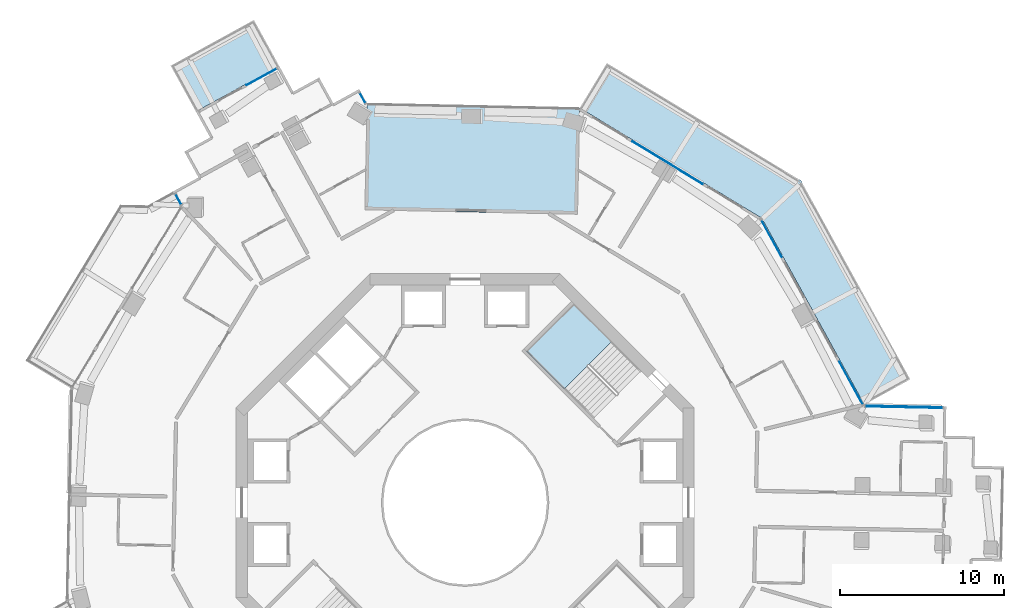
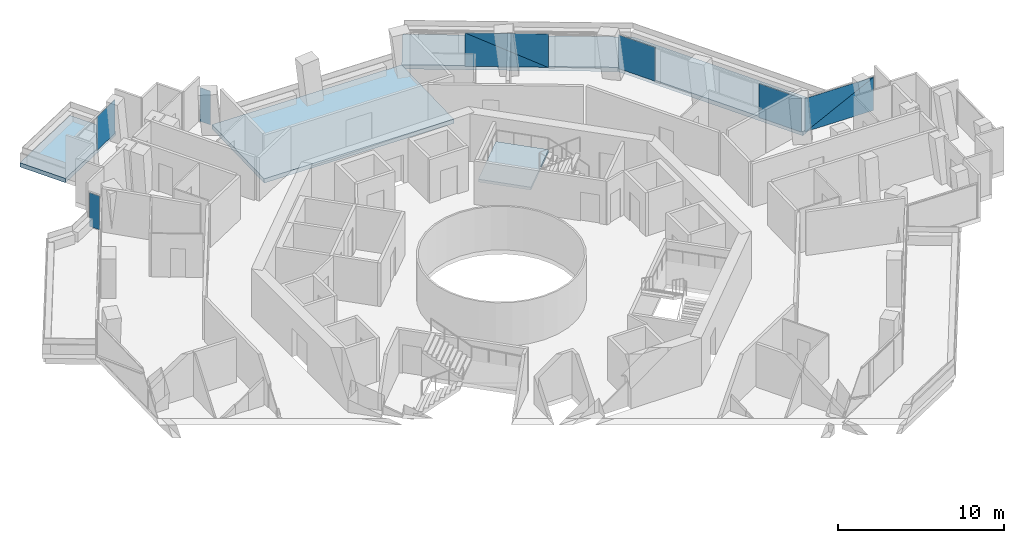
# One storey, part 13 of 22: 9 plates, 4 slabs, 7 elements without a shape of their own.
"""IFC4 building model written with IfcOpenShell, lengths in metres."""

from ifc_helpers import new_model, si_unit, direction, frame, origin, origin_2d, place, context, subcontext, project, spatial, polyline, rectangle, outline, extrude, material, layer, layer_set, type_object, element, aggregate, save


model = new_model("IFC4")

# Units and contexts
model_context = context("Model", 3, precision=1e-05, world=origin(), true_north=direction((0.0, 1.0)))
body_context = subcontext(model_context, "Body", "Model", "MODEL_VIEW")
ifc_project = project(units=[si_unit("LENGTHUNIT", "METRE"), si_unit("AREAUNIT", "SQUARE_METRE"), si_unit("VOLUMEUNIT", "CUBIC_METRE"), si_unit("PLANEANGLEUNIT", "RADIAN"), si_unit("MASSUNIT", "GRAM", prefix="KILO")], contexts=[model_context])

# Site, building, storey
site_placement = place(None, origin())
site = spatial("IfcSite", under=ifc_project, at=site_placement, CompositionType="ELEMENT")
building_placement = place(site_placement, origin())
building = spatial("IfcBuilding", under=site, at=building_placement, Name="Verdalira Terraces Hotel", CompositionType="ELEMENT")
storey_placement = place(building_placement, frame((0.0, 0.0, 150.5)))
storey = spatial("IfcBuildingStorey", under=building, at=storey_placement, Name="L36", CompositionType="ELEMENT", Elevation=150.5)

# Slabs
ifc_material_1 = material(Name="Precast concrete C40/50", Category="concrete")
ifc_layer_1 = layer(ifc_material_1, 0.31005859375)
ifc_layer_set_1 = layer_set([ifc_layer_1], Name="Balcony deck 310")
slab_type_1 = type_object("IfcSlabType", Name="Balcony deck 310", PredefinedType="FLOOR", material=ifc_layer_set_1)
slab_1_placement = place(storey_placement, frame((0.0, 0.0, -0.310059)))
element("IfcSlab", 1, at=slab_1_placement, inside=storey, type_object=slab_type_1, Name="Balcony deck", PredefinedType="FLOOR", context=body_context, shape_type="SweptSolid", body=[
    extrude(outline(polyline([(-17.985596, 26.695801), (-16.443848, 23.891602), (-11.361328, 26.685791), (-12.902832, 29.48999), (-17.985596, 26.695801)])), origin(), (0.0, 0.0, 1.0), 0.310059),
])
slab_2_placement = place(storey_placement, frame((0.0, 0.0, -0.310059)))
element("IfcSlab", 2, at=slab_2_placement, inside=storey, type_object=slab_type_1, Name="Balcony deck", PredefinedType="FLOOR", context=body_context, shape_type="SweptSolid", body=[
    extrude(outline(polyline([(8.664307, 26.854004), (7.006592, 24.116943), (18.126221, 17.382568), (24.38916, 5.990479), (27.193359, 7.532227), (20.517334, 19.675537), (8.664307, 26.854004)])), origin(), (0.0, 0.0, 1.0), 0.310059),
])

# Curtain wall, plates
ifc_material_2 = material(Name="Clear glass", Category="glass")
ifc_layer_2 = layer(ifc_material_2, 0.14990234375)
ifc_layer_set_2 = layer_set([ifc_layer_2], Name="CW1 curtain wall")
curtain_wall_type_1 = type_object("IfcCurtainWallType", Name="CW1 curtain wall", PredefinedType="NOTDEFINED", material=ifc_layer_set_2)
curtain_wall_1_placement = place(storey_placement, origin())
curtain_wall_1 = element("IfcCurtainWall", 3, at=curtain_wall_1_placement, inside=storey, type_object=curtain_wall_type_1, Name="CW1 curtain wall L36 edge 39", PredefinedType="NOTDEFINED")
ifc_material_3 = material(Name="Clear glass", Category="glass")
ifc_layer_3 = layer(ifc_material_3, 0.028076171875)
ifc_layer_set_3 = layer_set([ifc_layer_3], Name="CW1 glass unit 28")
plate_type_1 = type_object("IfcPlateType", Name="CW1 glass unit 28", PredefinedType="CURTAIN_PANEL", material=ifc_layer_set_3)
plate_1_placement = place(storey_placement, frame((23.580322, 7.306152, 0.0), z_axis=(0.0, 0.0, 1.0), x_axis=(-0.481753674, 0.87630668, 0.0)))
plate_1 = element("IfcPlate", 4, at=plate_1_placement, type_object=plate_type_1, Name="CW1 glass unit", PredefinedType="CURTAIN_PANEL", context=body_context, shape_type="SweptSolid", body=[
    extrude(rectangle(XDim=2.965088, YDim=0.028076, at=origin_2d()), origin(), (0.0, 0.0, 1.0), 2.475098),
])
plate_2_placement = place(storey_placement, frame((18.726562, 16.13501, 0.0), z_axis=(0.0, 0.0, 1.0), x_axis=(-0.481753674, 0.87630668, 0.0)))
plate_2 = element("IfcPlate", 5, at=plate_2_placement, type_object=plate_type_1, Name="CW1 glass unit", PredefinedType="CURTAIN_PANEL", context=body_context, shape_type="SweptSolid", body=[
    extrude(rectangle(XDim=2.564209, YDim=0.028076, at=origin_2d()), origin(), (0.0, 0.0, 1.0), 2.475098),
])
aggregate(curtain_wall_1, [plate_1, plate_2])

curtain_wall_2_placement = place(storey_placement, origin())
curtain_wall_2 = element("IfcCurtainWall", 6, at=curtain_wall_2_placement, inside=storey, type_object=curtain_wall_type_1, Name="CW1 curtain wall L36 edge 40", PredefinedType="NOTDEFINED")
plate_3_placement = place(storey_placement, frame((12.367432, 20.766113, 1.237549), z_axis=(0.518027009, 0.85536426, 0.0), x_axis=(-0.85536426, 0.518027009, 0.0)))
plate_3 = element("IfcPlate", 7, at=plate_3_placement, type_object=plate_type_1, Name="CW1 glass unit", PredefinedType="CURTAIN_PANEL", context=body_context, shape_type="SweptSolid", body=[
    extrude(outline(polyline([(-2.510742, -1.237549), (2.510742, -1.237549), (2.510742, 1.237549), (-2.510742, -1.237549)])), origin(), (0.0, 0.0, 1.0), 0.028076),
])
plate_4_placement = place(storey_placement, frame((12.352539, 20.741211, 1.237549), z_axis=(0.518027009, 0.85536426, 0.0), x_axis=(-0.85536426, 0.518027009, 0.0)))
plate_4 = element("IfcPlate", 8, at=plate_4_placement, type_object=plate_type_1, Name="CW1 glass unit", PredefinedType="CURTAIN_PANEL", context=body_context, shape_type="SweptSolid", body=[
    extrude(outline(polyline([(-2.510742, -1.237549), (2.510742, 1.237549), (-2.510742, 1.237549), (-2.510742, -1.237549)])), origin(), (0.0, 0.0, 1.0), 0.028076),
])
aggregate(curtain_wall_2, [plate_3, plate_4])

# Curtain wall, plate
ifc_material_4 = material(Name="Clear glass", Category="glass")
ifc_layer_4 = layer(ifc_material_4, 0.14990234375)
ifc_layer_set_4 = layer_set([ifc_layer_4], Name="CW2 curtain wall")
curtain_wall_type_2 = type_object("IfcCurtainWallType", Name="CW2 curtain wall", PredefinedType="NOTDEFINED", material=ifc_layer_set_4)
curtain_wall_3_placement = place(storey_placement, origin())
curtain_wall_3 = element("IfcCurtainWall", 9, at=curtain_wall_3_placement, inside=storey, type_object=curtain_wall_type_2, Name="CW2 curtain wall L36 edge 0", PredefinedType="NOTDEFINED")
ifc_material_5 = material(Name="Clear glass", Category="glass")
ifc_layer_5 = layer(ifc_material_5, 0.031982421875)
ifc_layer_set_5 = layer_set([ifc_layer_5], Name="CW2 glass unit 32")
plate_type_2 = type_object("IfcPlateType", Name="CW2 glass unit 32", PredefinedType="CURTAIN_PANEL", material=ifc_layer_set_5)
plate_5_placement = place(storey_placement, frame((-6.260986, 24.725342, 0.0), z_axis=(0.0, 0.0, 1.0), x_axis=(-0.481753674, 0.87630668, 0.0)))
plate_5 = element("IfcPlate", 10, at=plate_5_placement, type_object=plate_type_2, Name="CW2 glass unit", PredefinedType="CURTAIN_PANEL", context=body_context, shape_type="SweptSolid", body=[
    extrude(rectangle(XDim=0.709961, YDim=0.031982, at=origin_2d()), origin(), (0.0, 0.0, 1.0), 2.475098),
])
aggregate(curtain_wall_3, [plate_5])

curtain_wall_4_placement = place(storey_placement, origin())
curtain_wall_4 = element("IfcCurtainWall", 11, at=curtain_wall_4_placement, inside=storey, type_object=curtain_wall_type_2, Name="CW2 curtain wall L36 edge 10", PredefinedType="NOTDEFINED")
plate_6_placement = place(storey_placement, frame((-17.521484, 18.534912, 0.0), z_axis=(0.0, 0.0, 1.0), x_axis=(0.481753674, -0.87630668, 0.0)))
plate_6 = element("IfcPlate", 12, at=plate_6_placement, type_object=plate_type_2, Name="CW2 glass unit", PredefinedType="CURTAIN_PANEL", context=body_context, shape_type="SweptSolid", body=[
    extrude(rectangle(XDim=0.709961, YDim=0.031982, at=origin_2d()), origin(), (0.0, 0.0, 1.0), 2.475098),
])
aggregate(curtain_wall_4, [plate_6])

# Curtain wall, plates
curtain_wall_5_placement = place(storey_placement, origin())
curtain_wall_5 = element("IfcCurtainWall", 13, at=curtain_wall_5_placement, inside=storey, type_object=curtain_wall_type_2, Name="CW2 curtain wall L36 edge 38", PredefinedType="NOTDEFINED")
plate_7_placement = place(storey_placement, frame((26.818115, 5.848877, 1.237549), z_axis=(0.02094242, 0.999780683, 0.0), x_axis=(-0.999780683, 0.02094242, 0.0)))
plate_7 = element("IfcPlate", 14, at=plate_7_placement, type_object=plate_type_2, Name="CW2 glass unit", PredefinedType="CURTAIN_PANEL", context=body_context, shape_type="SweptSolid", body=[
    extrude(outline(polyline([(-2.361328, -1.237549), (2.361328, -1.237549), (-2.361328, 1.237549), (-2.361328, -1.237549)])), origin(), (0.0, 0.0, 1.0), 0.031982),
])
plate_8_placement = place(storey_placement, frame((26.817383, 5.815918, 1.237549), z_axis=(0.02094242, 0.999780683, 0.0), x_axis=(-0.999780683, 0.02094242, 0.0)))
plate_8 = element("IfcPlate", 15, at=plate_8_placement, type_object=plate_type_2, Name="CW2 glass unit", PredefinedType="CURTAIN_PANEL", context=body_context, shape_type="SweptSolid", body=[
    extrude(outline(polyline([(2.361328, -1.237549), (2.361328, 1.237549), (-2.361328, 1.237549), (2.361328, -1.237549)])), origin(), (0.0, 0.0, 1.0), 0.031982),
])
aggregate(curtain_wall_5, [plate_7, plate_8])

# Curtain wall, plate
ifc_material_6 = material(Name="Clear glass", Category="glass")
ifc_layer_6 = layer(ifc_material_6, 0.14990234375)
ifc_layer_set_6 = layer_set([ifc_layer_6], Name="CW3 curtain wall")
curtain_wall_type_3 = type_object("IfcCurtainWallType", Name="CW3 curtain wall", PredefinedType="NOTDEFINED", material=ifc_layer_set_6)
curtain_wall_6_placement = place(storey_placement, origin())
curtain_wall_6 = element("IfcCurtainWall", 16, at=curtain_wall_6_placement, inside=storey, type_object=curtain_wall_type_3, Name="CW3 curtain wall L36 edge 5", PredefinedType="NOTDEFINED")
ifc_material_7 = material(Name="Clear glass", Category="glass")
ifc_layer_7 = layer(ifc_material_7, 0.035888671875)
ifc_layer_set_7 = layer_set([ifc_layer_7], Name="CW3 glass unit 36")
plate_type_3 = type_object("IfcPlateType", Name="CW3 glass unit 36", PredefinedType="CURTAIN_PANEL", material=ifc_layer_set_7)
plate_9_placement = place(storey_placement, frame((-12.437988, 26.008301, 0.0), z_axis=(0.0, 0.0, 1.0), x_axis=(-0.87630668, -0.481753674, 0.0)))
plate_9 = element("IfcPlate", 17, at=plate_9_placement, type_object=plate_type_3, Name="CW3 glass unit", PredefinedType="CURTAIN_PANEL", context=body_context, shape_type="SweptSolid", body=[
    extrude(rectangle(XDim=2.080078, YDim=0.035889, at=origin_2d()), origin(), (0.0, 0.0, 1.0), 2.475098),
])
aggregate(curtain_wall_6, [plate_9])

# Stair, slab
ifc_material_8 = material(Name="Concrete C40", Category="concrete")
stair_type = type_object("IfcStairType", Name="Core stair 20 risers 2000 mm wide", PredefinedType="HALF_TURN_STAIR", material=ifc_material_8)
stair_placement = place(storey_placement, origin())
stair = element("IfcStair", 18, at=stair_placement, inside=storey, type_object=stair_type, Name="L36 Exit stair ST1", PredefinedType="HALF_TURN_STAIR")
ifc_material_9 = material(Name="Concrete C40", Category="concrete")
ifc_layer_8 = layer(ifc_material_9, 0.199951171875)
ifc_layer_set_8 = layer_set([ifc_layer_8], Name="Core stair landing 200 mm")
slab_type_2 = type_object("IfcSlabType", Name="Core stair landing 200 mm", PredefinedType="LANDING", material=ifc_layer_set_8)
slab_3_placement = place(storey_placement, frame((0.0, 0.0, 1.550049)))
slab_3 = element("IfcSlab", 19, at=slab_3_placement, type_object=slab_type_2, Name="ST1 landing 1", PredefinedType="LANDING", context=body_context, shape_type="SweptSolid", body=[
    extrude(outline(polyline([(8.966553, 9.842529), (6.646729, 12.162354), (3.747559, 9.263184), (6.067383, 6.943359), (8.966553, 9.842529)])), origin(), (0.0, 0.0, 1.0), 0.199951),
])
aggregate(stair, [slab_3])

# Slab
ifc_material_10 = material(Name="Concrete C40", Category="concrete")
ifc_layer_9 = layer(ifc_material_10, 0.31005859375)
ifc_layer_set_9 = layer_set([ifc_layer_9], Name="Loggia floor deck 310 C40")
slab_type_3 = type_object("IfcSlabType", Name="Loggia floor deck 310 C40", PredefinedType="FLOOR", material=ifc_layer_set_9)
slab_4_placement = place(storey_placement, frame((0.0, 0.0, -0.310059)))
element("IfcSlab", 20, at=slab_4_placement, inside=storey, type_object=slab_type_3, Name="Loggia deck L36", PredefinedType="FLOOR", context=body_context, shape_type="SweptSolid", body=[
    extrude(outline(polyline([(6.870605, 17.618408), (7.006592, 24.116943), (-5.990479, 24.38916), (-6.126709, 17.890625), (6.870605, 17.618408)])), origin(), (0.0, 0.0, 1.0), 0.310059),
])

save(model, "model.ifc")
